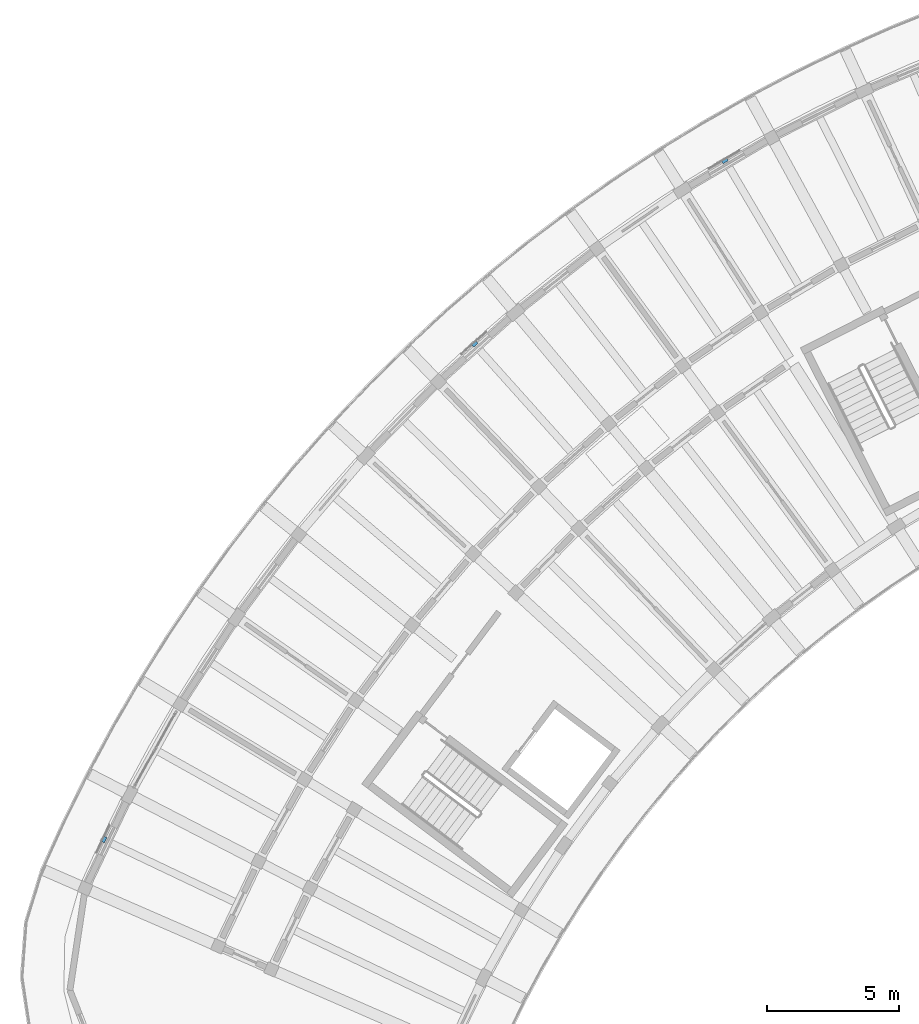
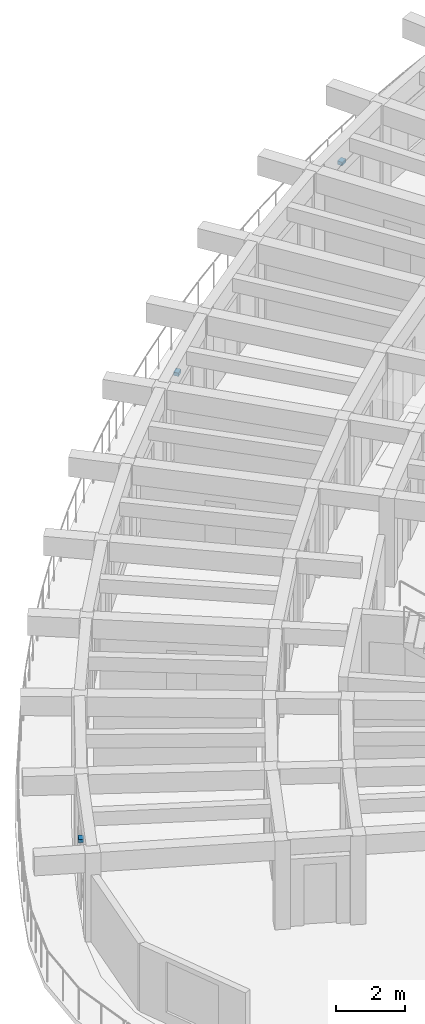
# One storey, part 27 of 36: 3 discrete accessories.
"""IFC4 building model written with IfcOpenShell, lengths in metres."""

from ifc_helpers import new_model, si_unit, direction, frame, origin, origin_2d, place, context, subcontext, project, spatial, rectangle, extrude, material, type_object, element, save


model = new_model("IFC4")

# Units and contexts
model_context = context("Model", 3, precision=1e-05, world=origin(), true_north=direction((0.0, 1.0)))
body_context = subcontext(model_context, "Body", "Model", "MODEL_VIEW")
ifc_project = project(units=[si_unit("LENGTHUNIT", "METRE"), si_unit("AREAUNIT", "SQUARE_METRE"), si_unit("VOLUMEUNIT", "CUBIC_METRE"), si_unit("PLANEANGLEUNIT", "RADIAN"), si_unit("MASSUNIT", "GRAM", prefix="KILO")], contexts=[model_context])

# Site, building, storey
site_placement = place(None, origin())
site = spatial("IfcSite", under=ifc_project, at=site_placement, CompositionType="ELEMENT")
building_placement = place(site_placement, origin())
building = spatial("IfcBuilding", under=site, at=building_placement, Name="Tanwirah Colonnade Gardens", CompositionType="ELEMENT")
storey_placement = place(building_placement, frame((0.0, 0.0, 39.080078125)))
storey = spatial("IfcBuildingStorey", under=building, at=storey_placement, Name="L11", CompositionType="ELEMENT", Elevation=39.080078125)

# Discrete accessories
ifc_material = material(Name="Steel S355", Category="steel")
discrete_accessory_type = type_object("IfcDiscreteAccessoryType", Name="BRK-SS1", PredefinedType="BRACKET", material=ifc_material)
for number, where, z_axis, x_axis, name in (
    (1, (34.647216796875, 111.585205078125, 2.034912109375), (0.0, 0.0, 1.0), (-0.861135993911, -0.508374664978, 0.0), "Solar screen support bracket A-L11-06"),
    (2, (25.163330078125, 104.638427734375, 2.14990234375), (0.0, 0.0, 1.0), (-0.744440031514, -0.667689328565, 0.0), "Solar screen support bracket A-L11-09"),
    (3, (11.115234375, 85.854248046875, 2.034912109375), (0.0, 0.0, 1.0), (-0.429635818333, -0.903002250056, 0.0), "Solar screen support bracket A-L11-15"),
):
    element("IfcDiscreteAccessory", number, at=place(storey_placement, frame(where, z_axis=z_axis, x_axis=x_axis)), inside=storey, type_object=discrete_accessory_type, Name=name, PredefinedType="BRACKET", context=body_context, shape_type="SweptSolid", body=[
        extrude(rectangle(XDim=0.219970703125, YDim=0.159912109375, at=origin_2d()), origin(), (0.0, 0.0, 1.0), 0.1201171875),
    ])

save(model, "model.ifc")
